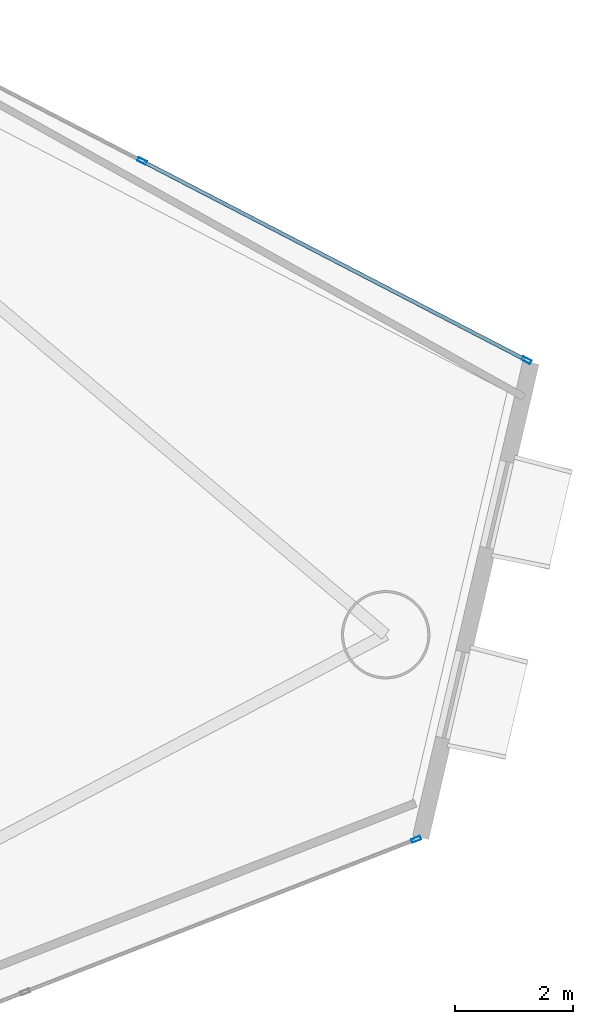
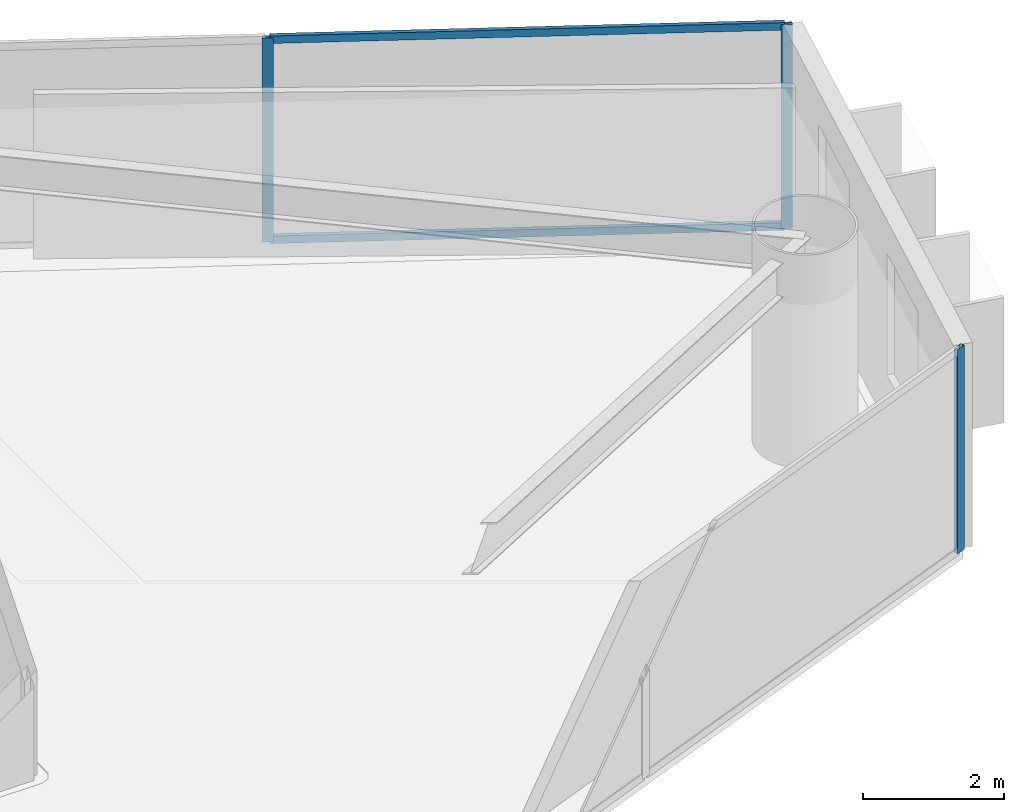
# One storey, part 13 of 21: 5 members, 2 elements without a shape of their own.
"""IFC4 building model written with IfcOpenShell, lengths in metres."""

from ifc_helpers import new_model, si_unit, direction, frame, origin, origin_2d, place, context, subcontext, project, spatial, hollow_rectangle, extrude, material, layer, layer_set, material_profile, profile_set, type_object, element, aggregate, save


model = new_model("IFC4")

# Units and contexts
model_context = context("Model", 3, precision=1e-05, world=origin(), true_north=direction((0.0, 1.0)))
body_context = subcontext(model_context, "Body", "Model", "MODEL_VIEW")
ifc_project = project(units=[si_unit("LENGTHUNIT", "METRE"), si_unit("AREAUNIT", "SQUARE_METRE"), si_unit("VOLUMEUNIT", "CUBIC_METRE"), si_unit("PLANEANGLEUNIT", "RADIAN"), si_unit("MASSUNIT", "GRAM", prefix="KILO")], contexts=[model_context])

# Site, building, storey
site_placement = place(None, origin())
site = spatial("IfcSite", under=ifc_project, at=site_placement, CompositionType="ELEMENT")
building_placement = place(site_placement, origin())
building = spatial("IfcBuilding", under=site, at=building_placement, Name="Qianvela Tower", CompositionType="ELEMENT")
storey_placement = place(building_placement, frame((0.0, 0.0, 131.10009765625)))
storey = spatial("IfcBuildingStorey", under=building, at=storey_placement, Name="L33", CompositionType="ELEMENT", Elevation=131.10009765625)

# Curtain wall, members
ifc_material_1 = material(Name="Anodised Architectural Aluminium and Low-E Glass", Category="aluminium")
ifc_layer = layer(ifc_material_1, 0.169921875)
ifc_layer_set = layer_set([ifc_layer], Name="Anodised Architectural Aluminium and Low-E Glass")
curtain_wall_type = type_object("IfcCurtainWallType", Name="CW-COLIV-Z34", PredefinedType="USERDEFINED", material=ifc_layer_set)
curtain_wall_1_placement = place(storey_placement, origin())
curtain_wall_1 = element("IfcCurtainWall", 1, at=curtain_wall_1_placement, inside=storey, type_object=curtain_wall_type, Name="L33 CW-COLIV-Z34 Curtain Wall 02A", ObjectType="CURTAIN_WALL_SYSTEM", PredefinedType="USERDEFINED")
ifc_material_2 = material(Name="Anodised Architectural Aluminium 6063-T6", Category="aluminium")
ifc_material_profile_1 = material_profile(ifc_material_2, hollow_rectangle(XDim=0.06494140625, YDim=0.159912109375, WallThickness=0.0048828125, at=origin_2d()), Name="ALU-MULL-65x160")
ifc_profile_set_1 = profile_set([ifc_material_profile_1], Name="Anodised Architectural Aluminium 6063-T6")
member_type_1 = type_object("IfcMemberType", Name="CW-COLIV-Z34-MULL", PredefinedType="MULLION", material=ifc_profile_set_1)
member_1_placement = place(storey_placement, frame((59.584228515625, 28.614501953125, 0.0), z_axis=(0.0, 0.0, 1.0), x_axis=(-0.460093683076, -0.887870374995, 0.0)))
member_1 = element("IfcMember", 2, at=member_1_placement, type_object=member_type_1, Name="CW-4 mullion 1", PredefinedType="MULLION", context=body_context, shape_type="SweptSolid", body=[
    extrude(hollow_rectangle(XDim=0.06494140625, YDim=0.159912109375, WallThickness=0.0048828125, at=origin_2d()), origin(), (0.0, 0.0, 1.0), 3.52001953125),
])
member_2_placement = place(storey_placement, frame((53.060791015625, 31.9951171875, 0.0), z_axis=(0.0, 0.0, 1.0), x_axis=(-0.460093683076, -0.887870374995, 0.0)))
member_2 = element("IfcMember", 3, at=member_2_placement, type_object=member_type_1, Name="CW-4 mullion 2", PredefinedType="MULLION", context=body_context, shape_type="SweptSolid", body=[
    extrude(hollow_rectangle(XDim=0.06494140625, YDim=0.159912109375, WallThickness=0.0048828125, at=origin_2d()), origin(), (0.0, 0.0, 1.0), 3.52001953125),
])

# Curtain wall, member
curtain_wall_2_placement = place(storey_placement, origin())
curtain_wall_2 = element("IfcCurtainWall", 4, at=curtain_wall_2_placement, inside=storey, type_object=curtain_wall_type, Name="L33 CW-COLIV-Z34 Curtain Wall 06C", ObjectType="CURTAIN_WALL_SYSTEM", PredefinedType="USERDEFINED")
member_3_placement = place(storey_placement, frame((57.710693359375, 20.486572265625, 0.0), z_axis=(0.0, 0.0, 1.0), x_axis=(-0.363459223587, 0.931610107711, 0.0)))
member_3 = element("IfcMember", 5, at=member_3_placement, type_object=member_type_1, Name="CW-4 mullion 3", PredefinedType="MULLION", context=body_context, shape_type="SweptSolid", body=[
    extrude(hollow_rectangle(XDim=0.06494140625, YDim=0.159912109375, WallThickness=0.0048828125, at=origin_2d()), origin(), (0.0, 0.0, 1.0), 3.52001953125),
])
aggregate(curtain_wall_2, [member_3])

# Member
ifc_material_3 = material(Name="Anodised Architectural Aluminium 6063-T6", Category="aluminium")
ifc_material_profile_2 = material_profile(ifc_material_3, hollow_rectangle(XDim=0.06494140625, YDim=0.1298828125, WallThickness=0.00439453125, at=origin_2d()), Name="ALU-TRAN-65x130")
ifc_profile_set_2 = profile_set([ifc_material_profile_2], Name="Anodised Architectural Aluminium 6063-T6")
member_type_2 = type_object("IfcMemberType", Name="CW-COLIV-Z34-TRAN", PredefinedType="USERDEFINED", material=ifc_profile_set_2)
member_4_placement = place(storey_placement, frame((59.555419921875, 28.62939453125, 0.032470703125), z_axis=(-0.887870191075, 0.460094037997, 0.0), x_axis=(-0.460094037997, -0.887870191075, 0.0)))
member_4 = element("IfcMember", 6, at=member_4_placement, type_object=member_type_2, Name="CW-4 transom 1.1", ObjectType="TRANSOM", PredefinedType="USERDEFINED", context=body_context, shape_type="SweptSolid", body=[
    extrude(hollow_rectangle(XDim=0.06494140625, YDim=0.1298828125, WallThickness=0.00439453125, at=origin_2d()), origin(), (0.0, 0.0, 1.0), 7.282470703125),
])

member_5_placement = place(storey_placement, frame((59.555419921875, 28.62939453125, 3.4873046875), z_axis=(-0.887870191075, 0.460094037997, 0.0), x_axis=(-0.460094037997, -0.887870191075, 0.0)))
member_5 = element("IfcMember", 7, at=member_5_placement, type_object=member_type_2, Name="CW-4 transom 1.2", ObjectType="TRANSOM", PredefinedType="USERDEFINED", context=body_context, shape_type="SweptSolid", body=[
    extrude(hollow_rectangle(XDim=0.06494140625, YDim=0.1298828125, WallThickness=0.00439453125, at=origin_2d()), origin(), (0.0, 0.0, 1.0), 7.282470703125),
])

aggregate(curtain_wall_1, [member_1, member_2, member_4, member_5])

save(model, "model.ifc")
